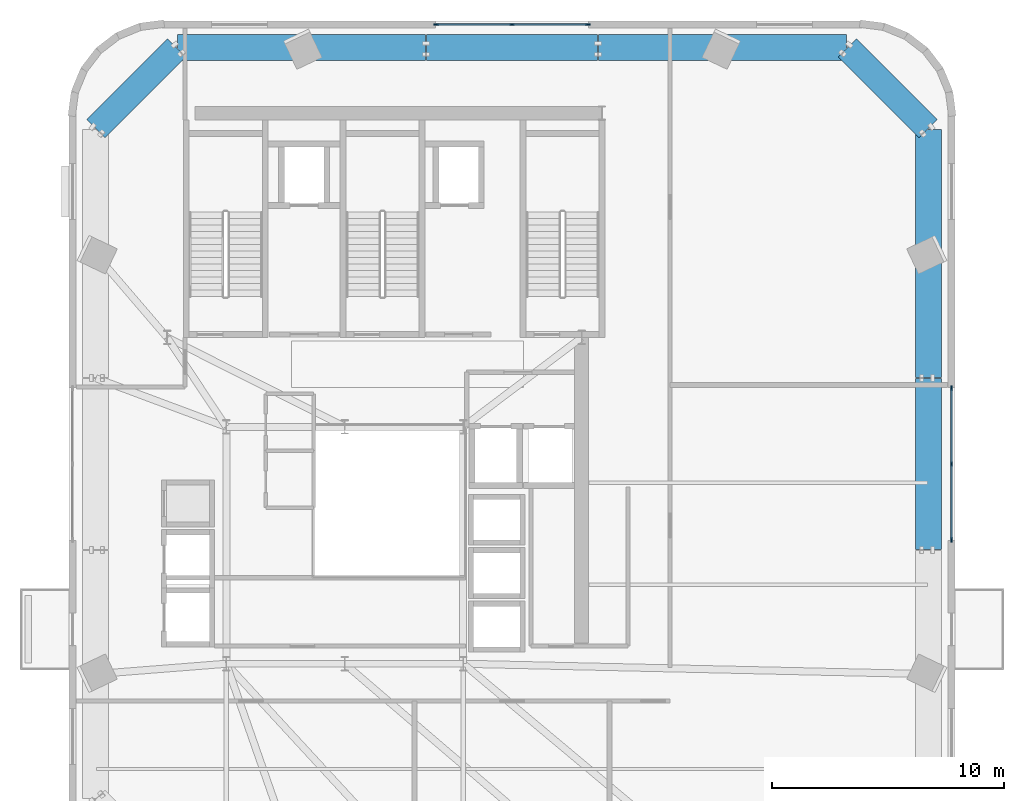
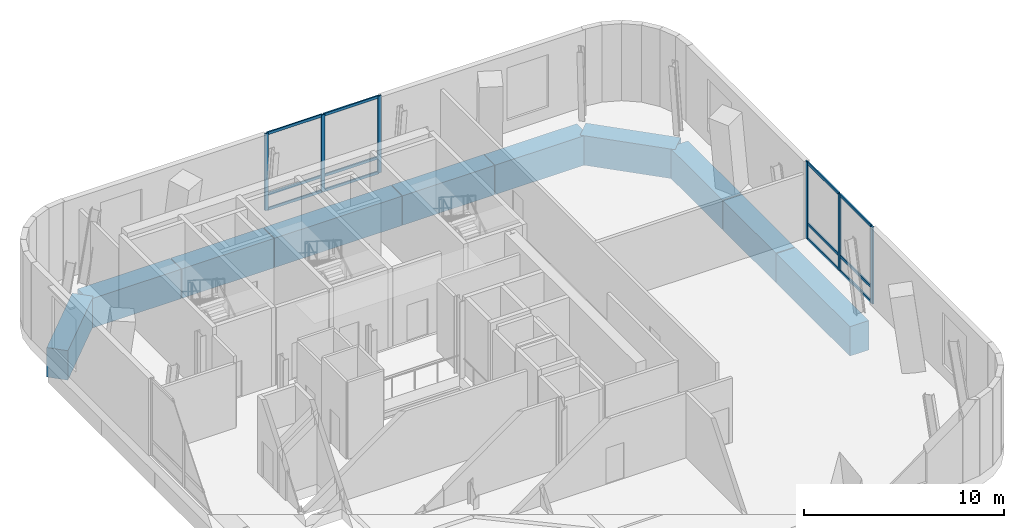
# One storey, part 4 of 11: 18 members, 10 beams, 2 elements without a shape of their own.
"""IFC4 building model written with IfcOpenShell, lengths in metres."""

from ifc_helpers import new_model, si_unit, direction, frame, origin, origin_2d, place, context, subcontext, project, spatial, rectangle, extrude, source, transform, mapped, material, material_profile, profile_set, type_object, element, aggregate, save


model = new_model("IFC4")

# Units and contexts
model_context = context("Model", 3, precision=1e-05, world=origin(), true_north=direction((0.0, 1.0)))
body_context = subcontext(model_context, "Body", "Model", "MODEL_VIEW")
ifc_project = project(units=[si_unit("LENGTHUNIT", "METRE"), si_unit("AREAUNIT", "SQUARE_METRE"), si_unit("VOLUMEUNIT", "CUBIC_METRE"), si_unit("PLANEANGLEUNIT", "RADIAN"), si_unit("MASSUNIT", "GRAM", prefix="KILO")], contexts=[model_context])

# Site, building, storey
site_placement = place(None, origin())
site = spatial("IfcSite", under=ifc_project, at=site_placement, CompositionType="ELEMENT")
building_placement = place(site_placement, origin())
building = spatial("IfcBuilding", under=site, at=building_placement, Name="Vardaveli Station Tower", CompositionType="ELEMENT")
storey_placement = place(building_placement, frame((0.0, 0.0, 286.14990234375)))
storey = spatial("IfcBuildingStorey", under=building, at=storey_placement, Name="L73", CompositionType="ELEMENT", Elevation=286.14990234375)

# Beams
ifc_material_1 = material(Name="Concrete C60/75", Category="concrete")
ifc_material_profile_1 = material_profile(ifc_material_1, rectangle(XDim=1.10009765625, YDim=1.800048828125, at=origin_2d()), Name="TG 1100x1800")
ifc_profile_set_1 = profile_set([ifc_material_profile_1], Name="Concrete C60/75")
beam_type = type_object("IfcBeamType", Name="BM-TG-1800", PredefinedType="BEAM", material=ifc_profile_set_1)
shared_shape_1 = source(origin(), body_context, "Body", "SweptSolid", [
    extrude(rectangle(XDim=1.10009765625, YDim=1.800048828125, at=origin_2d()), origin(), (0.0, 0.0, 1.0), 7.35986328125),
])
for number, where, z_axis, x_axis, name in (
    (1, (61.429931640625, 21.52001953125, -1.5498046875), (0.0, 1.0, 0.0), (-1.0, 0.0, 0.0), "RBM-L73-08"),
    (2, (47.179931640625, 43.1298828125, -1.5498046875), (-1.0, 0.0, 0.0), (0.0, -1.0, 0.0), "RBM-L73-14"),
):
    element("IfcBeam", number, at=place(storey_placement, frame(where, z_axis=z_axis, x_axis=x_axis)), inside=storey, type_object=beam_type, Name=name, PredefinedType="BEAM", context=body_context, shape_type="MappedRepresentation", body=[
        mapped(shared_shape_1, transform((0.0, 0.0, 0.0), scale=1.0)),
    ])
shared_shape_2 = source(origin(), body_context, "Body", "SweptSolid", [
    extrude(rectangle(XDim=1.10009765625, YDim=1.800048828125, at=origin_2d()), origin(), (0.0, 0.0, 1.0), 5.3037109375),
])
for number, where, z_axis, x_axis, name in (
    (3, (52.523681640625, 43.1298828125, -1.5498046875), (-1.0, 0.0, 0.0), (0.0, -1.0, 0.0), "RBM-L73-13"),
    (4, (39.780029296875, 43.1298828125, -1.5498046875), (-1.0, 0.0, 0.0), (0.0, -1.0, 0.0), "RBM-L73-15"),
):
    element("IfcBeam", number, at=place(storey_placement, frame(where, z_axis=z_axis, x_axis=x_axis)), inside=storey, type_object=beam_type, Name=name, PredefinedType="BEAM", context=body_context, shape_type="MappedRepresentation", body=[
        mapped(shared_shape_2, transform((0.0, 0.0, 0.0), scale=1.0)),
    ])
shared_shape_3 = source(origin(), body_context, "Body", "SweptSolid", [
    extrude(rectangle(XDim=1.10009765625, YDim=1.800048828125, at=origin_2d()), origin(), (0.0, 0.0, 1.0), 5.33935546875),
])
for number, where, z_axis, x_axis, name in (
    (5, (57.903076171875, 43.1298828125, -1.5498046875), (-1.0, 0.0, 0.0), (0.0, -1.0, 0.0), "RBM-L73-12"),
    (6, (34.436279296875, 43.1298828125, -1.5498046875), (-1.0, 0.0, 0.0), (0.0, -1.0, 0.0), "RBM-L73-16"),
):
    element("IfcBeam", number, at=place(storey_placement, frame(where, z_axis=z_axis, x_axis=x_axis)), inside=storey, type_object=beam_type, Name=name, PredefinedType="BEAM", context=body_context, shape_type="MappedRepresentation", body=[
        mapped(shared_shape_3, transform((0.0, 0.0, 0.0), scale=1.0)),
    ])
shared_shape_4 = source(origin(), body_context, "Body", "SweptSolid", [
    extrude(rectangle(XDim=1.10009765625, YDim=1.800048828125, at=origin_2d()), origin(), (0.0, 0.0, 1.0), 4.91943359375),
])
for number, where, z_axis, x_axis, name in (
    (7, (61.415771484375, 39.63720703125, -1.5498046875), (-0.707081967375, 0.707131594127, 0.0), (-0.707131594127, -0.707081967375, 0.0), "RBM-L73-11"),
    (8, (29.062744140625, 43.115966796875, -1.5498046875), (-0.707081967375, -0.707131594127, 0.0), (0.707131594127, -0.707081967375, 0.0), "RBM-L73-17"),
):
    element("IfcBeam", number, at=place(storey_placement, frame(where, z_axis=z_axis, x_axis=x_axis)), inside=storey, type_object=beam_type, Name=name, PredefinedType="BEAM", context=body_context, shape_type="MappedRepresentation", body=[
        mapped(shared_shape_4, transform((0.0, 0.0, 0.0), scale=1.0)),
    ])
shared_shape_5 = source(origin(), body_context, "Body", "SweptSolid", [
    extrude(rectangle(XDim=1.10009765625, YDim=1.800048828125, at=origin_2d()), origin(), (0.0, 0.0, 1.0), 5.339111328125),
])
beam_1_placement = place(storey_placement, frame((61.429931640625, 34.263916015625, -1.5498046875), z_axis=(0.0, 1.0, 0.0), x_axis=(-1.0, 0.0, 0.0)))
element("IfcBeam", 9, at=beam_1_placement, inside=storey, type_object=beam_type, Name="RBM-L73-10", PredefinedType="BEAM", context=body_context, shape_type="MappedRepresentation", body=[
    mapped(shared_shape_5, transform((0.0, 0.0, 0.0), scale=1.0)),
])
shared_shape_6 = source(origin(), body_context, "Body", "SweptSolid", [
    extrude(rectangle(XDim=1.10009765625, YDim=1.800048828125, at=origin_2d()), origin(), (0.0, 0.0, 1.0), 5.303955078125),
])
beam_2_placement = place(storey_placement, frame((61.429931640625, 28.919921875, -1.5498046875), z_axis=(0.0, 1.0, 0.0), x_axis=(-1.0, 0.0, 0.0)))
element("IfcBeam", 10, at=beam_2_placement, inside=storey, type_object=beam_type, Name="RBM-L73-09", PredefinedType="BEAM", context=body_context, shape_type="MappedRepresentation", body=[
    mapped(shared_shape_6, transform((0.0, 0.0, 0.0), scale=1.0)),
])

# Curtain wall, members
ifc_material_2 = material(Name="Travertine stone and solar-control glass", Category="masonry")
curtain_wall_type = type_object("IfcCurtainWallType", Name="CW-SYS-5", PredefinedType="NOTDEFINED", material=ifc_material_2)
curtain_wall_1_placement = place(storey_placement, origin())
curtain_wall_1 = element("IfcCurtainWall", 11, at=curtain_wall_1_placement, inside=storey, type_object=curtain_wall_type, Name="CW-L73-N", PredefinedType="NOTDEFINED")
ifc_material_3 = material(Name="Anodised aluminium alloy 6063-T6", Category="aluminium")
ifc_material_profile_2 = material_profile(ifc_material_3, rectangle(XDim=0.080078125, YDim=0.1650390625, at=origin_2d()), Name="CWT 80x165")
ifc_profile_set_2 = profile_set([ifc_material_profile_2], Name="Anodised aluminium alloy 6063-T6")
member_type_1 = type_object("IfcMemberType", Name="CW-SYS-5-TRAN", PredefinedType="NOTDEFINED", material=ifc_profile_set_2)
shared_shape_7 = source(origin(), body_context, "Body", "SweptSolid", [
    extrude(rectangle(XDim=0.080078125, YDim=0.1650390625, at=origin_2d()), origin(), (0.0, 0.0, 1.0), 3.179931640625),
])
member_1_placement = place(storey_placement, frame((46.719970703125, 44.1201171875, 0.0400390625), z_axis=(-1.0, 0.0, 0.0), x_axis=(0.0, -1.0, 0.0)))
member_1 = element("IfcMember", 12, at=member_1_placement, type_object=member_type_1, Name="CW-5 transom 1.1", ObjectType="TRANSOM", PredefinedType="USERDEFINED", context=body_context, shape_type="MappedRepresentation", body=[
    mapped(shared_shape_7, transform((0.0, 0.0, 0.0), scale=1.0)),
])
member_2_placement = place(storey_placement, frame((46.719970703125, 44.1201171875, 0.9501953125), z_axis=(-1.0, 0.0, 0.0), x_axis=(0.0, -1.0, 0.0)))
member_2 = element("IfcMember", 13, at=member_2_placement, type_object=member_type_1, Name="CW-5 transom 1.2", ObjectType="TRANSOM", PredefinedType="USERDEFINED", context=body_context, shape_type="MappedRepresentation", body=[
    mapped(shared_shape_7, transform((0.0, 0.0, 0.0), scale=1.0)),
])
member_3_placement = place(storey_placement, frame((46.719970703125, 44.1201171875, 4.66015625), z_axis=(-1.0, 0.0, 0.0), x_axis=(0.0, -1.0, 0.0)))
member_3 = element("IfcMember", 14, at=member_3_placement, type_object=member_type_1, Name="CW-5 transom 1.3", ObjectType="TRANSOM", PredefinedType="USERDEFINED", context=body_context, shape_type="MappedRepresentation", body=[
    mapped(shared_shape_7, transform((0.0, 0.0, 0.0), scale=1.0)),
])
member_4_placement = place(storey_placement, frame((43.4599609375, 44.1201171875, 0.0400390625), z_axis=(-1.0, 0.0, 0.0), x_axis=(0.0, -1.0, 0.0)))
member_4 = element("IfcMember", 15, at=member_4_placement, type_object=member_type_1, Name="CW-5 transom 2.1", ObjectType="TRANSOM", PredefinedType="USERDEFINED", context=body_context, shape_type="MappedRepresentation", body=[
    mapped(shared_shape_7, transform((0.0, 0.0, 0.0), scale=1.0)),
])
member_5_placement = place(storey_placement, frame((43.4599609375, 44.1201171875, 0.9501953125), z_axis=(-1.0, 0.0, 0.0), x_axis=(0.0, -1.0, 0.0)))
member_5 = element("IfcMember", 16, at=member_5_placement, type_object=member_type_1, Name="CW-5 transom 2.2", ObjectType="TRANSOM", PredefinedType="USERDEFINED", context=body_context, shape_type="MappedRepresentation", body=[
    mapped(shared_shape_7, transform((0.0, 0.0, 0.0), scale=1.0)),
])
member_6_placement = place(storey_placement, frame((43.4599609375, 44.1201171875, 4.66015625), z_axis=(-1.0, 0.0, 0.0), x_axis=(0.0, -1.0, 0.0)))
member_6 = element("IfcMember", 17, at=member_6_placement, type_object=member_type_1, Name="CW-5 transom 2.3", ObjectType="TRANSOM", PredefinedType="USERDEFINED", context=body_context, shape_type="MappedRepresentation", body=[
    mapped(shared_shape_7, transform((0.0, 0.0, 0.0), scale=1.0)),
])

curtain_wall_2_placement = place(storey_placement, origin())
curtain_wall_2 = element("IfcCurtainWall", 18, at=curtain_wall_2_placement, inside=storey, type_object=curtain_wall_type, Name="CW-L73-E", PredefinedType="NOTDEFINED")
member_7_placement = place(storey_placement, frame((62.419921875, 21.97998046875, 0.0400390625), z_axis=(0.0, 1.0, 0.0), x_axis=(-1.0, 0.0, 0.0)))
member_7 = element("IfcMember", 19, at=member_7_placement, type_object=member_type_1, Name="CW-5 transom 1.1", ObjectType="TRANSOM", PredefinedType="USERDEFINED", context=body_context, shape_type="MappedRepresentation", body=[
    mapped(shared_shape_7, transform((0.0, 0.0, 0.0), scale=1.0)),
])
member_8_placement = place(storey_placement, frame((62.419921875, 21.97998046875, 0.9501953125), z_axis=(0.0, 1.0, 0.0), x_axis=(-1.0, 0.0, 0.0)))
member_8 = element("IfcMember", 20, at=member_8_placement, type_object=member_type_1, Name="CW-5 transom 1.2", ObjectType="TRANSOM", PredefinedType="USERDEFINED", context=body_context, shape_type="MappedRepresentation", body=[
    mapped(shared_shape_7, transform((0.0, 0.0, 0.0), scale=1.0)),
])
member_9_placement = place(storey_placement, frame((62.419921875, 21.97998046875, 4.66015625), z_axis=(0.0, 1.0, 0.0), x_axis=(-1.0, 0.0, 0.0)))
member_9 = element("IfcMember", 21, at=member_9_placement, type_object=member_type_1, Name="CW-5 transom 1.3", ObjectType="TRANSOM", PredefinedType="USERDEFINED", context=body_context, shape_type="MappedRepresentation", body=[
    mapped(shared_shape_7, transform((0.0, 0.0, 0.0), scale=1.0)),
])
member_10_placement = place(storey_placement, frame((62.419921875, 25.239990234375, 0.0400390625), z_axis=(0.0, 1.0, 0.0), x_axis=(-1.0, 0.0, 0.0)))
member_10 = element("IfcMember", 22, at=member_10_placement, type_object=member_type_1, Name="CW-5 transom 2.1", ObjectType="TRANSOM", PredefinedType="USERDEFINED", context=body_context, shape_type="MappedRepresentation", body=[
    mapped(shared_shape_7, transform((0.0, 0.0, 0.0), scale=1.0)),
])
member_11_placement = place(storey_placement, frame((62.419921875, 25.239990234375, 0.9501953125), z_axis=(0.0, 1.0, 0.0), x_axis=(-1.0, 0.0, 0.0)))
member_11 = element("IfcMember", 23, at=member_11_placement, type_object=member_type_1, Name="CW-5 transom 2.2", ObjectType="TRANSOM", PredefinedType="USERDEFINED", context=body_context, shape_type="MappedRepresentation", body=[
    mapped(shared_shape_7, transform((0.0, 0.0, 0.0), scale=1.0)),
])
member_12_placement = place(storey_placement, frame((62.419921875, 25.239990234375, 4.66015625), z_axis=(0.0, 1.0, 0.0), x_axis=(-1.0, 0.0, 0.0)))
member_12 = element("IfcMember", 24, at=member_12_placement, type_object=member_type_1, Name="CW-5 transom 2.3", ObjectType="TRANSOM", PredefinedType="USERDEFINED", context=body_context, shape_type="MappedRepresentation", body=[
    mapped(shared_shape_7, transform((0.0, 0.0, 0.0), scale=1.0)),
])

# Member
ifc_material_profile_3 = material_profile(ifc_material_3, rectangle(XDim=0.080078125, YDim=0.205078125, at=origin_2d()), Name="CWM 80x205")
ifc_profile_set_3 = profile_set([ifc_material_profile_3], Name="Anodised aluminium alloy 6063-T6")
member_type_2 = type_object("IfcMemberType", Name="CW-SYS-5-MULL", PredefinedType="MULLION", material=ifc_profile_set_3)
shared_shape_8 = source(origin(), body_context, "Body", "SweptSolid", [
    extrude(rectangle(XDim=0.080078125, YDim=0.205078125, at=origin_2d()), origin(), (0.0, 0.0, 1.0), 4.7001953125),
])
member_13_placement = place(storey_placement, frame((46.760009765625, 44.1201171875, 0.0), z_axis=(0.0, 0.0, 1.0), x_axis=(0.0, -1.0, 0.0)))
member_13 = element("IfcMember", 25, at=member_13_placement, type_object=member_type_2, Name="CW-5 mullion 1", PredefinedType="MULLION", context=body_context, shape_type="MappedRepresentation", body=[
    mapped(shared_shape_8, transform((0.0, 0.0, 0.0), scale=1.0)),
])

member_14_placement = place(storey_placement, frame((43.5, 44.1201171875, 0.0), z_axis=(0.0, 0.0, 1.0), x_axis=(0.0, -1.0, 0.0)))
member_14 = element("IfcMember", 26, at=member_14_placement, type_object=member_type_2, Name="CW-5 mullion 2", PredefinedType="MULLION", context=body_context, shape_type="MappedRepresentation", body=[
    mapped(shared_shape_8, transform((0.0, 0.0, 0.0), scale=1.0)),
])

member_15_placement = place(storey_placement, frame((40.239990234375, 44.1201171875, 0.0), z_axis=(0.0, 0.0, 1.0), x_axis=(0.0, -1.0, 0.0)))
member_15 = element("IfcMember", 27, at=member_15_placement, type_object=member_type_2, Name="CW-5 mullion 3", PredefinedType="MULLION", context=body_context, shape_type="MappedRepresentation", body=[
    mapped(shared_shape_8, transform((0.0, 0.0, 0.0), scale=1.0)),
])

aggregate(curtain_wall_1, [member_13, member_14, member_15, member_1, member_2, member_3, member_4, member_5, member_6])

member_16_placement = place(storey_placement, frame((62.419921875, 21.93994140625, 0.0), z_axis=(0.0, 0.0, 1.0), x_axis=(-1.0, 0.0, 0.0)))
member_16 = element("IfcMember", 28, at=member_16_placement, type_object=member_type_2, Name="CW-5 mullion 1", PredefinedType="MULLION", context=body_context, shape_type="MappedRepresentation", body=[
    mapped(shared_shape_8, transform((0.0, 0.0, 0.0), scale=1.0)),
])

member_17_placement = place(storey_placement, frame((62.419921875, 25.199951171875, 0.0), z_axis=(0.0, 0.0, 1.0), x_axis=(-1.0, 0.0, 0.0)))
member_17 = element("IfcMember", 29, at=member_17_placement, type_object=member_type_2, Name="CW-5 mullion 2", PredefinedType="MULLION", context=body_context, shape_type="MappedRepresentation", body=[
    mapped(shared_shape_8, transform((0.0, 0.0, 0.0), scale=1.0)),
])

member_18_placement = place(storey_placement, frame((62.419921875, 28.4599609375, 0.0), z_axis=(0.0, 0.0, 1.0), x_axis=(-1.0, 0.0, 0.0)))
member_18 = element("IfcMember", 30, at=member_18_placement, type_object=member_type_2, Name="CW-5 mullion 3", PredefinedType="MULLION", context=body_context, shape_type="MappedRepresentation", body=[
    mapped(shared_shape_8, transform((0.0, 0.0, 0.0), scale=1.0)),
])

aggregate(curtain_wall_2, [member_16, member_17, member_18, member_7, member_8, member_9, member_10, member_11, member_12])

save(model, "model.ifc")
